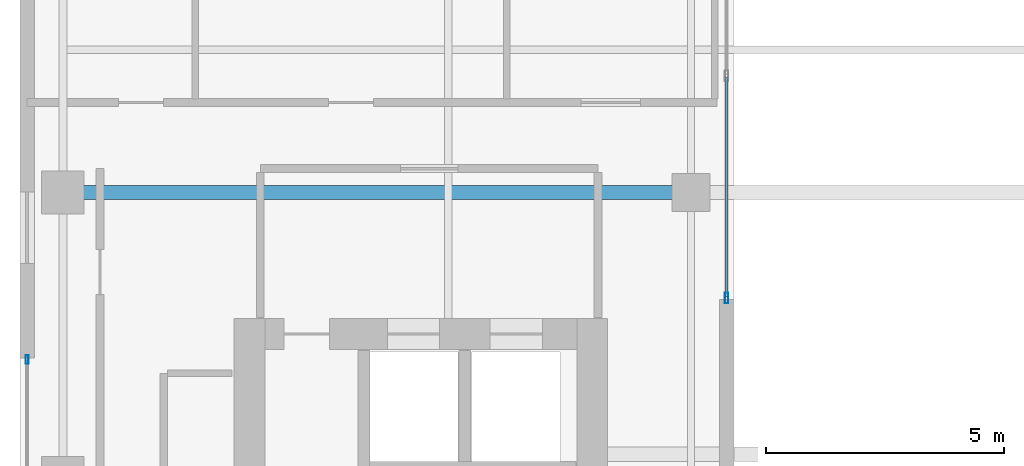
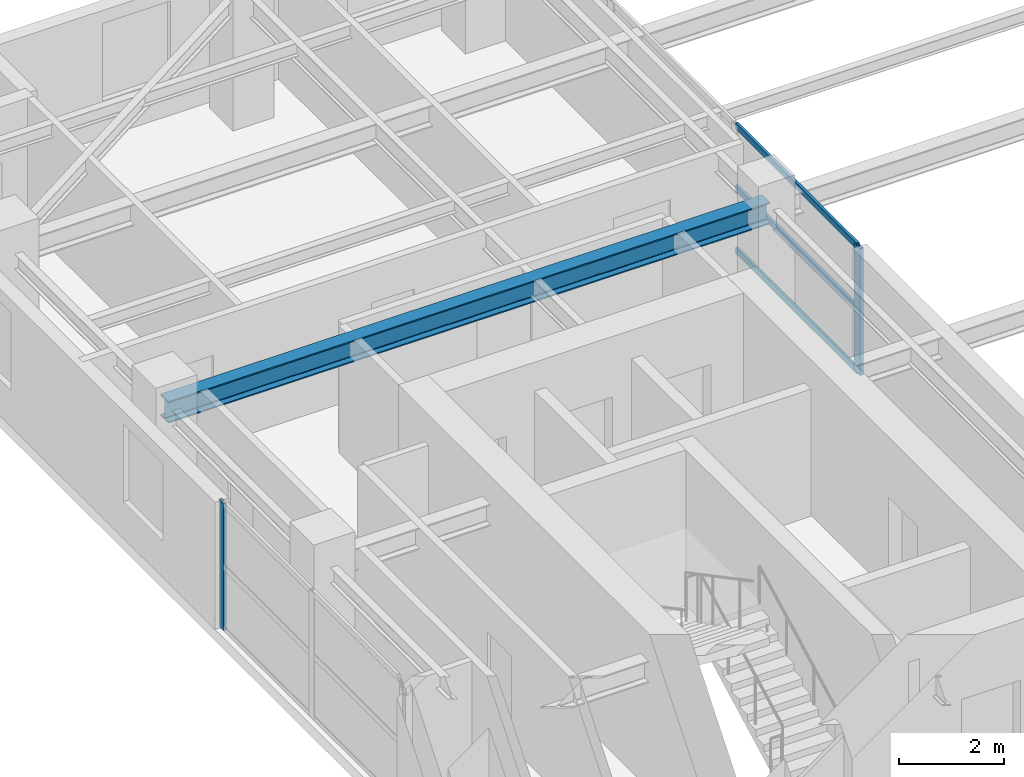
# One storey, part 8 of 21: 5 members, 1 beam, 2 elements without a shape of their own.
"""IFC4 building model written with IfcOpenShell, lengths in metres."""

from ifc_helpers import new_model, si_unit, direction, frame, origin, origin_2d, place, context, subcontext, project, spatial, hollow_rectangle, i_section, extrude, source, transform, mapped, material, layer, layer_set, material_profile, profile_set, type_object, element, aggregate, save


model = new_model("IFC4")

# Units and contexts
model_context = context("Model", 3, precision=1e-05, world=origin(), true_north=direction((0.0, 1.0)))
body_context = subcontext(model_context, "Body", "Model", "MODEL_VIEW")
ifc_project = project(units=[si_unit("LENGTHUNIT", "METRE"), si_unit("AREAUNIT", "SQUARE_METRE"), si_unit("VOLUMEUNIT", "CUBIC_METRE"), si_unit("PLANEANGLEUNIT", "RADIAN"), si_unit("MASSUNIT", "GRAM", prefix="KILO")], contexts=[model_context])

# Site, building, storey
site_placement = place(None, origin())
site = spatial("IfcSite", under=ifc_project, at=site_placement, CompositionType="ELEMENT")
building_placement = place(site_placement, origin())
building = spatial("IfcBuilding", under=site, at=building_placement, Name="Khoralis Quay Care Tower", CompositionType="ELEMENT")
storey_placement = place(building_placement, frame((0.0, 0.0, 213.300048828125)))
storey = spatial("IfcBuildingStorey", under=building, at=storey_placement, Name="L56", CompositionType="ELEMENT", Elevation=213.300048828125)

# Beam
ifc_material_1 = material(Name="Steel S355", Category="steel")
ifc_material_profile_1 = material_profile(ifc_material_1, i_section(OverallWidth=0.300048828125, OverallDepth=0.5, WebThickness=0.014404296875, FlangeThickness=0.028076171875, FilletRadius=0.027099609375, at=origin_2d()), Name="Steel S355")
ifc_profile_set_1 = profile_set([ifc_material_profile_1], Name="Steel S355")
beam_type = type_object("IfcBeamType", Name="BM-HEB500", PredefinedType="BEAM", material=ifc_profile_set_1)
shared_shape_1 = source(origin(), body_context, "Body", "SweptSolid", [
    extrude(i_section(OverallWidth=0.300048828125, OverallDepth=0.5, WebThickness=0.014404296875, FlangeThickness=0.028076171875, FilletRadius=0.027099609375, at=origin_2d()), origin(), (0.0, 0.0, 1.0), 13.2001953125),
])
beam_placement = place(storey_placement, frame((3.89990234375, 30.0, 2.699951171875), z_axis=(1.0, 0.0, 0.0), x_axis=(0.0, 1.0, 0.0)))
element("IfcBeam", 1, at=beam_placement, inside=storey, type_object=beam_type, Name="BM-TGXW-L56-300", PredefinedType="BEAM", context=body_context, shape_type="MappedRepresentation", body=[
    mapped(shared_shape_1, transform((0.0, 0.0, 0.0), scale=1.0)),
])

# Curtain wall, members
ifc_material_2 = material(Name="Pale anodised aluminium", Category="aluminium")
ifc_layer_1 = layer(ifc_material_2, 0.18994140625)
ifc_layer_set_1 = layer_set([ifc_layer_1], Name="Pale anodised aluminium")
curtain_wall_type_1 = type_object("IfcCurtainWallType", Name="CW-SYS-PORTAL", PredefinedType="NOTDEFINED", material=ifc_layer_set_1)
curtain_wall_1_placement = place(storey_placement, origin())
curtain_wall_1 = element("IfcCurtainWall", 2, at=curtain_wall_1_placement, inside=storey, type_object=curtain_wall_type_1, Name="L56 Unitised Curtain Wall CW-VP-L56-P1-N", PredefinedType="NOTDEFINED")
ifc_material_profile_2 = material_profile(ifc_material_2, hollow_rectangle(XDim=0.06005859375, YDim=0.139892578125, WallThickness=0.00390625, at=origin_2d()), Name="Pale anodised aluminium")
ifc_profile_set_2 = profile_set([ifc_material_profile_2], Name="Pale anodised aluminium")
member_type_1 = type_object("IfcMemberType", Name="CW-TRN-140", PredefinedType="USERDEFINED", material=ifc_profile_set_2)
shared_shape_2 = source(origin(), body_context, "Body", "SweptSolid", [
    extrude(hollow_rectangle(XDim=0.06005859375, YDim=0.139892578125, WallThickness=0.00390625, at=origin_2d()), origin(), (0.0, 0.0, 1.0), 4.60986328125),
])
member_1_placement = place(storey_placement, frame((17.85009765625, 27.81005859375, 0.030029296875), z_axis=(0.0, 1.0, 0.0), x_axis=(-1.0, 0.0, 0.0)))
member_1 = element("IfcMember", 3, at=member_1_placement, type_object=member_type_1, Name="CW4 transom 1.1", ObjectType="TRANSOM", PredefinedType="USERDEFINED", context=body_context, shape_type="MappedRepresentation", body=[
    mapped(shared_shape_2, transform((0.0, 0.0, 0.0), scale=1.0)),
])
member_2_placement = place(storey_placement, frame((17.85009765625, 27.81005859375, 1.474853515625), z_axis=(0.0, 1.0, 0.0), x_axis=(-1.0, 0.0, 0.0)))
member_2 = element("IfcMember", 4, at=member_2_placement, type_object=member_type_1, Name="CW4 transom 1.2", ObjectType="TRANSOM", PredefinedType="USERDEFINED", context=body_context, shape_type="MappedRepresentation", body=[
    mapped(shared_shape_2, transform((0.0, 0.0, 0.0), scale=1.0)),
])
member_3_placement = place(storey_placement, frame((17.85009765625, 27.81005859375, 2.919921875), z_axis=(0.0, 1.0, 0.0), x_axis=(-1.0, 0.0, 0.0)))
member_3 = element("IfcMember", 5, at=member_3_placement, type_object=member_type_1, Name="CW4 transom 1.3", ObjectType="TRANSOM", PredefinedType="USERDEFINED", context=body_context, shape_type="MappedRepresentation", body=[
    mapped(shared_shape_2, transform((0.0, 0.0, 0.0), scale=1.0)),
])
ifc_material_profile_3 = material_profile(ifc_material_2, hollow_rectangle(XDim=0.074951171875, YDim=0.219970703125, WallThickness=0.00390625, at=origin_2d()), Name="Pale anodised aluminium")
ifc_profile_set_3 = profile_set([ifc_material_profile_3], Name="Pale anodised aluminium")
member_type_2 = type_object("IfcMemberType", Name="CW-MUL-220", PredefinedType="MULLION", material=ifc_profile_set_3)
shared_shape_3 = source(origin(), body_context, "Body", "SweptSolid", [
    extrude(hollow_rectangle(XDim=0.074951171875, YDim=0.219970703125, WallThickness=0.00390625, at=origin_2d()), origin(), (0.0, 0.0, 1.0), 2.949951171875),
])
member_4_placement = place(storey_placement, frame((17.85009765625, 27.780029296875, 0.0), z_axis=(0.0, 0.0, 1.0), x_axis=(-1.0, 0.0, 0.0)))
member_4 = element("IfcMember", 6, at=member_4_placement, type_object=member_type_2, Name="CW4 mullion 1", PredefinedType="MULLION", context=body_context, shape_type="MappedRepresentation", body=[
    mapped(shared_shape_3, transform((0.0, 0.0, 0.0), scale=1.0)),
])
aggregate(curtain_wall_1, [member_4, member_1, member_2, member_3])

# Curtain wall, member
ifc_layer_2 = layer(ifc_material_2, 0.159912109375)
ifc_layer_set_2 = layer_set([ifc_layer_2], Name="Pale anodised aluminium")
curtain_wall_type_2 = type_object("IfcCurtainWallType", Name="CW-SYS-Z3", PredefinedType="NOTDEFINED", material=ifc_layer_set_2)
curtain_wall_2_placement = place(storey_placement, origin())
curtain_wall_2 = element("IfcCurtainWall", 7, at=curtain_wall_2_placement, inside=storey, type_object=curtain_wall_type_2, Name="L56 Unitised Curtain Wall CW-L56-P1-E7", PredefinedType="NOTDEFINED")
ifc_material_profile_4 = material_profile(ifc_material_2, hollow_rectangle(XDim=0.06494140625, YDim=0.179931640625, WallThickness=0.00390625, at=origin_2d()), Name="Pale anodised aluminium")
ifc_profile_set_4 = profile_set([ifc_material_profile_4], Name="Pale anodised aluminium")
member_type_3 = type_object("IfcMemberType", Name="CW-MUL-180", PredefinedType="MULLION", material=ifc_profile_set_4)
shared_shape_4 = source(origin(), body_context, "Body", "SweptSolid", [
    extrude(hollow_rectangle(XDim=0.06494140625, YDim=0.179931640625, WallThickness=0.00390625, at=origin_2d()), origin(), (0.0, 0.0, 1.0), 2.949951171875),
])
member_5_placement = place(storey_placement, frame((3.14990234375, 26.489990234375, 0.0), z_axis=(0.0, 0.0, 1.0), x_axis=(1.0, 0.0, 0.0)))
member_5 = element("IfcMember", 8, at=member_5_placement, type_object=member_type_3, Name="CW3 mullion 1", PredefinedType="MULLION", context=body_context, shape_type="MappedRepresentation", body=[
    mapped(shared_shape_4, transform((0.0, 0.0, 0.0), scale=1.0)),
])
aggregate(curtain_wall_2, [member_5])

save(model, "model.ifc")
